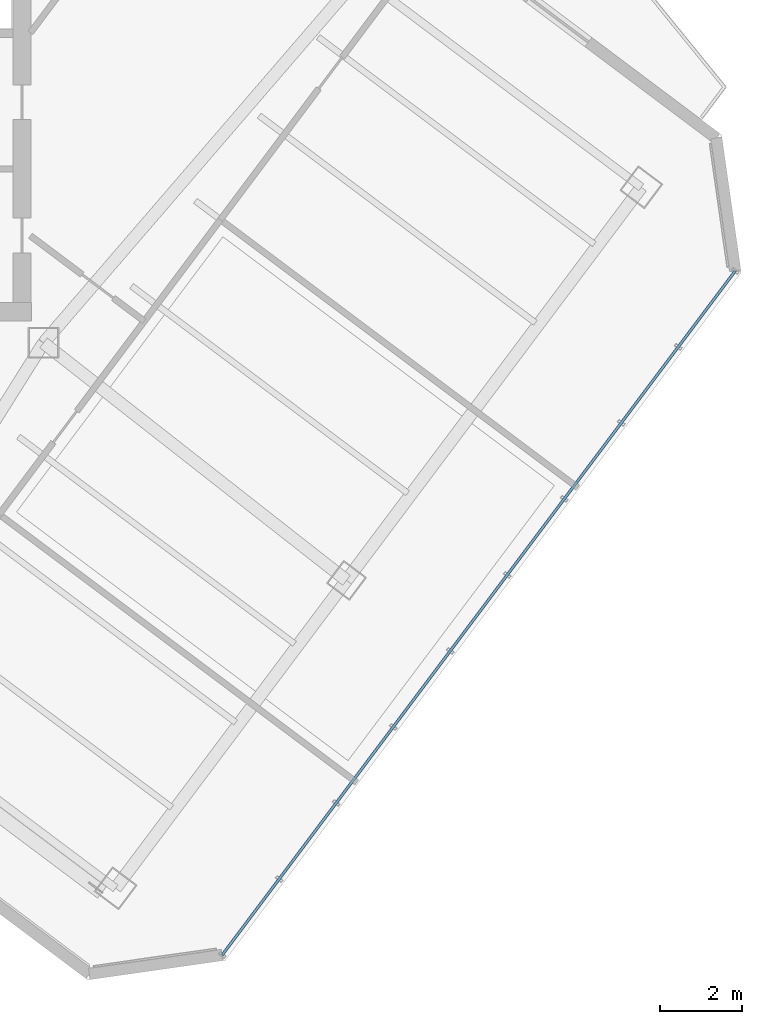
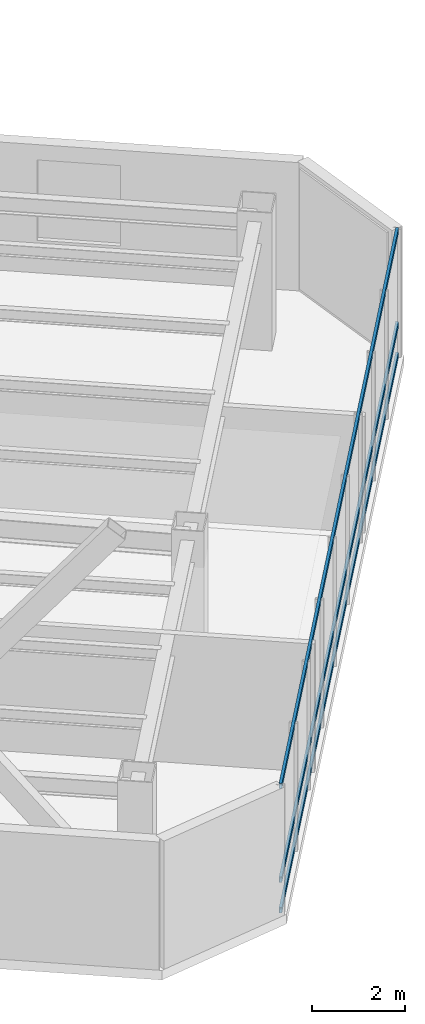
# One storey, part 12 of 24: 3 members, 1 element without a shape of its own.
"""IFC4 building model written with IfcOpenShell, lengths in metres."""

from ifc_helpers import new_model, si_unit, direction, frame, origin, origin_2d, place, context, subcontext, project, spatial, hollow_rectangle, extrude, material, layer, layer_set, material_profile, profile_set, type_object, element, aggregate, save


model = new_model("IFC4")

# Units and contexts
model_context = context("Model", 3, precision=1e-05, world=origin(), true_north=direction((0.0, 1.0)))
body_context = subcontext(model_context, "Body", "Model", "MODEL_VIEW")
ifc_project = project(units=[si_unit("LENGTHUNIT", "METRE"), si_unit("AREAUNIT", "SQUARE_METRE"), si_unit("VOLUMEUNIT", "CUBIC_METRE"), si_unit("PLANEANGLEUNIT", "RADIAN"), si_unit("MASSUNIT", "GRAM", prefix="KILO")], contexts=[model_context])

# Site, building, storey
site_placement = place(None, origin())
site = spatial("IfcSite", under=ifc_project, at=site_placement, CompositionType="ELEMENT")
building_placement = place(site_placement, origin())
building = spatial("IfcBuilding", under=site, at=building_placement, Name="Hatsunagi Terrace Concourse", CompositionType="ELEMENT")
storey_placement = place(building_placement, frame((0.0, 0.0, 213.14990234375)))
storey = spatial("IfcBuildingStorey", under=building, at=storey_placement, Name="L56", CompositionType="ELEMENT", Elevation=213.14990234375)

# Curtain wall, members
ifc_material_1 = material(Name="Anodised Aluminium Alloy 6063-T5", Category="aluminium")
ifc_layer = layer(ifc_material_1, 0.199951171875)
ifc_layer_set = layer_set([ifc_layer], Name="OfficeZone2_CW04")
curtain_wall_type = type_object("IfcCurtainWallType", Name="OfficeZone2_CW04", PredefinedType="NOTDEFINED", material=ifc_layer_set)
curtain_wall_placement = place(storey_placement, origin())
curtain_wall = element("IfcCurtainWall", 1, at=curtain_wall_placement, inside=storey, type_object=curtain_wall_type, Name="Unitised Curtain Wall CW-04 CW-L56-03", PredefinedType="NOTDEFINED")
ifc_material_2 = material(Name="Anodised Aluminium Alloy 6063-T5", Category="aluminium")
ifc_material_profile = material_profile(ifc_material_2, hollow_rectangle(XDim=0.06494140625, YDim=0.139892578125, WallThickness=0.00390625, at=origin_2d()), Name="ALU-TRN-140x65x4")
ifc_profile_set = profile_set([ifc_material_profile], Name="Anodised Aluminium Alloy 6063-T5")
member_type = type_object("IfcMemberType", Name="CurtainWallTransom_140x65", PredefinedType="USERDEFINED", material=ifc_profile_set)
member_1_placement = place(storey_placement, frame((60.693115234375, 25.9580078125, 0.050048828125), z_axis=(-0.599970072971, -0.800022444397, 0.0), x_axis=(0.800022444397, -0.599970072971, 0.0)))
member_1 = element("IfcMember", 2, at=member_1_placement, type_object=member_type, Name="Curtain Wall Transom TRN-02", ObjectType="TRANSOM", PredefinedType="USERDEFINED", context=body_context, shape_type="SweptSolid", body=[
    extrude(hollow_rectangle(XDim=0.06494140625, YDim=0.139892578125, WallThickness=0.00390625, at=origin_2d()), origin(), (0.0, 0.0, 1.0), 20.884521484375),
])
member_2_placement = place(storey_placement, frame((60.693115234375, 25.9580078125, 0.85009765625), z_axis=(-0.599970072971, -0.800022444397, 0.0), x_axis=(0.800022444397, -0.599970072971, 0.0)))
member_2 = element("IfcMember", 3, at=member_2_placement, type_object=member_type, Name="Curtain Wall Transom TRN-02", ObjectType="TRANSOM", PredefinedType="USERDEFINED", context=body_context, shape_type="SweptSolid", body=[
    extrude(hollow_rectangle(XDim=0.06494140625, YDim=0.139892578125, WallThickness=0.00390625, at=origin_2d()), origin(), (0.0, 0.0, 1.0), 20.884521484375),
])
member_3_placement = place(storey_placement, frame((60.693115234375, 25.9580078125, 3.300048828125), z_axis=(-0.599970072971, -0.800022444397, 0.0), x_axis=(0.800022444397, -0.599970072971, 0.0)))
member_3 = element("IfcMember", 4, at=member_3_placement, type_object=member_type, Name="Curtain Wall Transom TRN-02", ObjectType="TRANSOM", PredefinedType="USERDEFINED", context=body_context, shape_type="SweptSolid", body=[
    extrude(hollow_rectangle(XDim=0.06494140625, YDim=0.139892578125, WallThickness=0.00390625, at=origin_2d()), origin(), (0.0, 0.0, 1.0), 20.884521484375),
])
aggregate(curtain_wall, [member_1, member_2, member_3])

save(model, "model.ifc")
